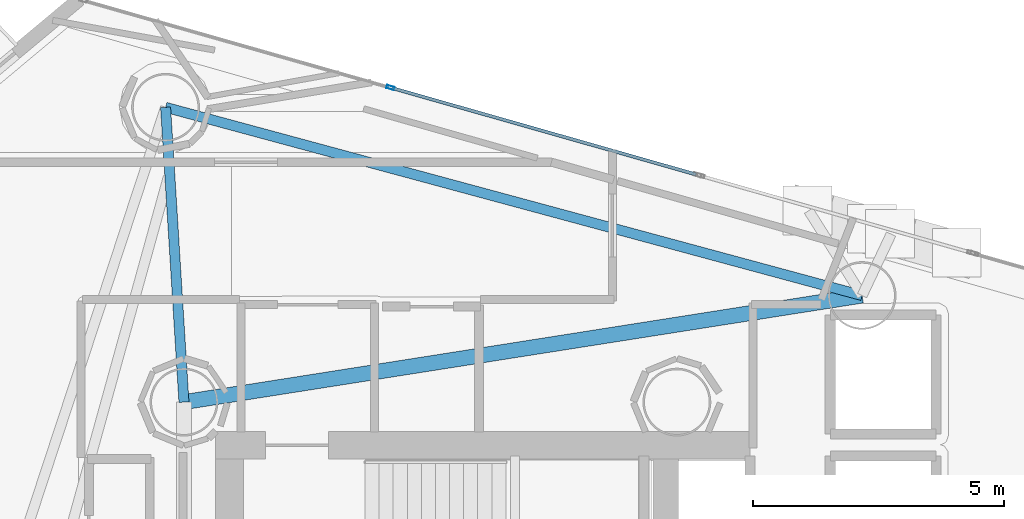
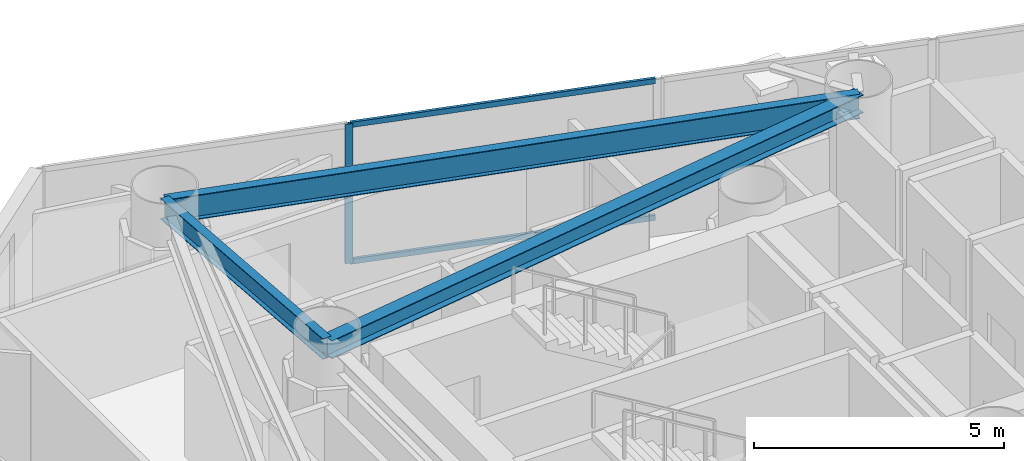
# One storey, part 12 of 22: 3 beams, 3 members, 1 element without a shape of its own.
"""IFC4 building model written with IfcOpenShell, lengths in metres."""

from ifc_helpers import new_model, si_unit, direction, frame, origin, origin_2d, place, context, subcontext, project, spatial, hollow_rectangle, i_section, extrude, material, layer, layer_set, material_profile, profile_set, type_object, element, aggregate, save


model = new_model("IFC4")

# Units and contexts
model_context = context("Model", 3, precision=1e-05, world=origin(), true_north=direction((0.0, 1.0)))
body_context = subcontext(model_context, "Body", "Model", "MODEL_VIEW")
ifc_project = project(units=[si_unit("LENGTHUNIT", "METRE"), si_unit("AREAUNIT", "SQUARE_METRE"), si_unit("VOLUMEUNIT", "CUBIC_METRE"), si_unit("PLANEANGLEUNIT", "RADIAN"), si_unit("MASSUNIT", "GRAM", prefix="KILO")], contexts=[model_context])

# Site, building, storey
site_placement = place(None, origin())
site = spatial("IfcSite", under=ifc_project, at=site_placement, CompositionType="ELEMENT")
building_placement = place(site_placement, origin())
building = spatial("IfcBuilding", under=site, at=building_placement, Name="Qianvela Tower", CompositionType="ELEMENT")
storey_placement = place(building_placement, frame((0.0, 0.0, 180.89990234375)))
storey = spatial("IfcBuildingStorey", under=building, at=storey_placement, Name="L46", CompositionType="ELEMENT", Elevation=180.89990234375)

# Beams
ifc_material_1 = material(Name="Steel Q355B", Category="steel")
ifc_material_profile_1 = material_profile(ifc_material_1, i_section(OverallWidth=0.300048828125, OverallDepth=0.43994140625, WebThickness=0.010986328125, FlangeThickness=0.01806640625, at=origin_2d()), Name="HM440x300x11x18")
ifc_profile_set_1 = profile_set([ifc_material_profile_1], Name="Steel Q355B")
beam_type_1 = type_object("IfcBeamType", Name="BM-HM440-COLL", PredefinedType="BEAM", material=ifc_profile_set_1)
beam_1_placement = place(storey_placement, frame((28.60009765625, 33.550048828125, 3.177978515625), z_axis=(0.98787540104, 0.155248806823, 0.0), x_axis=(-0.155248806823, 0.98787540104, 0.0)))
element("IfcBeam", 1, at=beam_1_placement, inside=storey, type_object=beam_type_1, Name="L46 Perimeter Ring Tie Girder 1B", PredefinedType="BEAM", context=body_context, shape_type="SweptSolid", body=[
    extrude(i_section(OverallWidth=0.300048828125, OverallDepth=0.43994140625, WebThickness=0.010986328125, FlangeThickness=0.01806640625, at=origin_2d()), origin(), (0.0, 0.0, 1.0), 13.6484375),
])
ifc_material_2 = material(Name="Steel Q355B", Category="steel")
ifc_material_profile_2 = material_profile(ifc_material_2, i_section(OverallWidth=0.199951171875, OverallDepth=0.5, WebThickness=0.010009765625, FlangeThickness=0.01611328125, at=origin_2d()), Name="HN500x200x10x16")
ifc_profile_set_2 = profile_set([ifc_material_profile_2], Name="Steel Q355B")
beam_type_2 = type_object("IfcBeamType", Name="BM-HN500-GIRD", PredefinedType="BEAM", material=ifc_profile_set_2)
beam_2_placement = place(storey_placement, frame((28.60009765625, 33.550048828125, 3.148193359375), z_axis=(-0.0621556847, 0.998066466153, 0.0), x_axis=(-0.998066466153, -0.0621556847, 0.0)))
element("IfcBeam", 2, at=beam_2_placement, inside=storey, type_object=beam_type_2, Name="L46 Radial Primary Floor Girder 3", PredefinedType="BEAM", context=body_context, shape_type="SweptSolid", body=[
    extrude(i_section(OverallWidth=0.199951171875, OverallDepth=0.5, WebThickness=0.010009765625, FlangeThickness=0.01611328125, at=origin_2d()), origin(), (0.0, 0.0, 1.0), 5.872314453125),
])
ifc_material_3 = material(Name="Steel Q355B", Category="steel")
ifc_material_profile_3 = material_profile(ifc_material_3, i_section(OverallWidth=0.199951171875, OverallDepth=0.60009765625, WebThickness=0.010986328125, FlangeThickness=0.01708984375, at=origin_2d()), Name="HN600x200x11x17")
ifc_profile_set_3 = profile_set([ifc_material_profile_3], Name="Steel Q355B")
beam_type_3 = type_object("IfcBeamType", Name="BM-HN600-GIRD", PredefinedType="BEAM", material=ifc_profile_set_3)
beam_3_placement = place(storey_placement, frame((42.0830078125, 35.6689453125, 3.09814453125), z_axis=(-0.965376252239, 0.260861441407, 0.0), x_axis=(-0.260861441407, -0.965376252239, 0.0)))
element("IfcBeam", 3, at=beam_3_placement, inside=storey, type_object=beam_type_3, Name="L46 Perimeter Ring Spandrel Girder 2", PredefinedType="BEAM", context=body_context, shape_type="SweptSolid", body=[
    extrude(i_section(OverallWidth=0.199951171875, OverallDepth=0.60009765625, WebThickness=0.010986328125, FlangeThickness=0.01708984375, at=origin_2d()), origin(), (0.0, 0.0, 1.0), 14.344482421875),
])

# Curtain wall, members
ifc_material_4 = material(Name="Anodised Architectural Aluminium and Low-E Glass", Category="aluminium")
ifc_layer = layer(ifc_material_4, 0.169921875)
ifc_layer_set = layer_set([ifc_layer], Name="Anodised Architectural Aluminium and Low-E Glass")
curtain_wall_type = type_object("IfcCurtainWallType", Name="CW-COLIV-Z34", PredefinedType="USERDEFINED", material=ifc_layer_set)
curtain_wall_placement = place(storey_placement, origin())
curtain_wall = element("IfcCurtainWall", 4, at=curtain_wall_placement, inside=storey, type_object=curtain_wall_type, Name="L46 CW-COLIV-Z34 Curtain Wall 02C", ObjectType="CURTAIN_WALL_SYSTEM", PredefinedType="USERDEFINED")
ifc_material_5 = material(Name="Anodised Architectural Aluminium 6063-T6", Category="aluminium")
ifc_material_profile_4 = material_profile(ifc_material_5, hollow_rectangle(XDim=0.06494140625, YDim=0.159912109375, WallThickness=0.0048828125, at=origin_2d()), Name="ALU-MULL-65x160")
ifc_profile_set_4 = profile_set([ifc_material_profile_4], Name="Anodised Architectural Aluminium 6063-T6")
member_type_1 = type_object("IfcMemberType", Name="CW-COLIV-Z34-MULL", PredefinedType="MULLION", material=ifc_profile_set_4)
member_1_placement = place(storey_placement, frame((32.70556640625, 39.80322265625, 0.0), z_axis=(0.0, 0.0, 1.0), x_axis=(-0.273502418638, -0.961871315197, 0.0)))
member_1 = element("IfcMember", 5, at=member_1_placement, type_object=member_type_1, Name="CW-4 mullion 2", PredefinedType="MULLION", context=body_context, shape_type="SweptSolid", body=[
    extrude(hollow_rectangle(XDim=0.06494140625, YDim=0.159912109375, WallThickness=0.0048828125, at=origin_2d()), origin(), (0.0, 0.0, 1.0), 3.400146484375),
])
ifc_material_6 = material(Name="Anodised Architectural Aluminium 6063-T6", Category="aluminium")
ifc_material_profile_5 = material_profile(ifc_material_6, hollow_rectangle(XDim=0.06494140625, YDim=0.1298828125, WallThickness=0.00439453125, at=origin_2d()), Name="ALU-TRAN-65x130")
ifc_profile_set_5 = profile_set([ifc_material_profile_5], Name="Anodised Architectural Aluminium 6063-T6")
member_type_2 = type_object("IfcMemberType", Name="CW-COLIV-Z34-TRAN", PredefinedType="USERDEFINED", material=ifc_profile_set_5)
member_2_placement = place(storey_placement, frame((38.77880859375, 38.076416015625, 0.03271484375), z_axis=(-0.961870777433, 0.273504309875, 0.0), x_axis=(-0.273504309875, -0.961870777433, 0.0)))
member_2 = element("IfcMember", 6, at=member_2_placement, type_object=member_type_2, Name="CW-4 transom 1.1", ObjectType="TRANSOM", PredefinedType="USERDEFINED", context=body_context, shape_type="SweptSolid", body=[
    extrude(hollow_rectangle(XDim=0.06494140625, YDim=0.1298828125, WallThickness=0.00439453125, at=origin_2d()), origin(), (0.0, 0.0, 1.0), 6.281494140625),
])
member_3_placement = place(storey_placement, frame((38.77880859375, 38.076416015625, 3.36767578125), z_axis=(-0.961870777433, 0.273504309875, 0.0), x_axis=(-0.273504309875, -0.961870777433, 0.0)))
member_3 = element("IfcMember", 7, at=member_3_placement, type_object=member_type_2, Name="CW-4 transom 1.2", ObjectType="TRANSOM", PredefinedType="USERDEFINED", context=body_context, shape_type="SweptSolid", body=[
    extrude(hollow_rectangle(XDim=0.06494140625, YDim=0.1298828125, WallThickness=0.00439453125, at=origin_2d()), origin(), (0.0, 0.0, 1.0), 6.281494140625),
])
aggregate(curtain_wall, [member_1, member_2, member_3])

save(model, "model.ifc")
